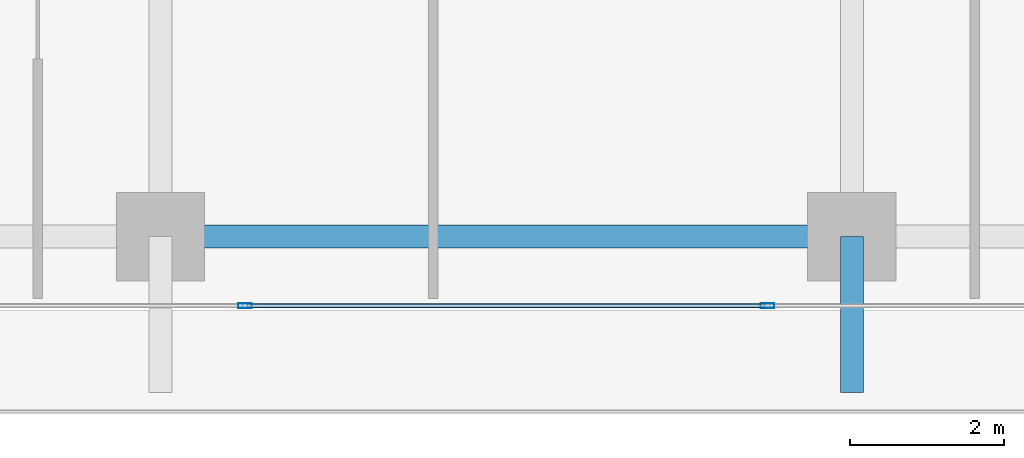
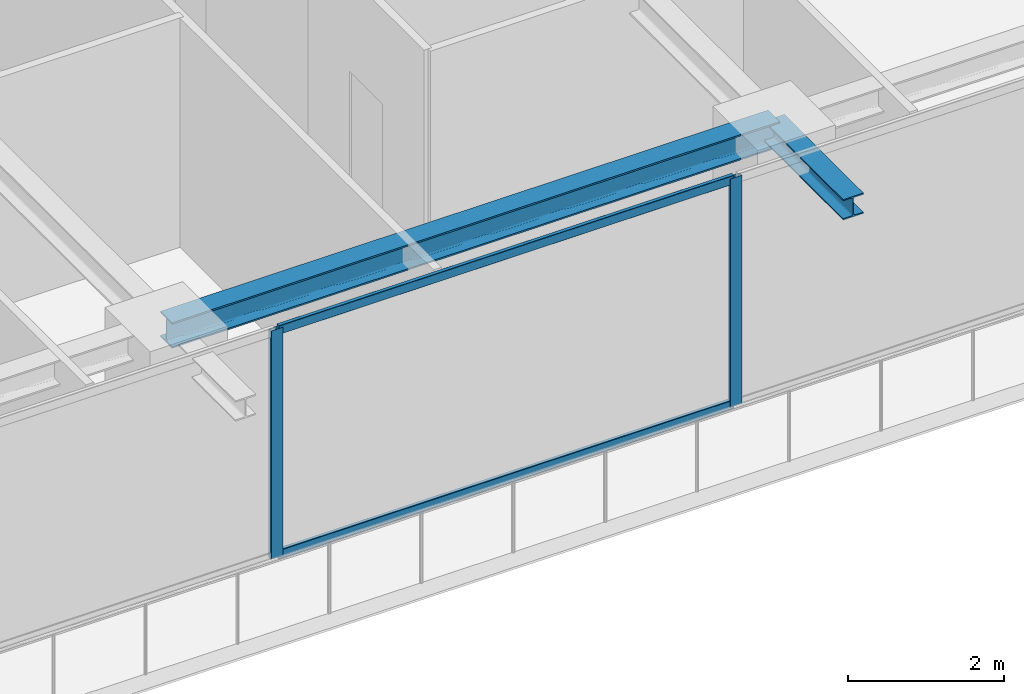
# One storey, part 5 of 37: 4 members, 2 beams, 1 element without a shape of its own.
"""IFC4 building model written with IfcOpenShell, lengths in metres."""

from ifc_helpers import new_model, si_unit, direction, frame, origin, origin_2d, place, context, subcontext, project, spatial, hollow_rectangle, i_section, extrude, source, transform, mapped, material, layer, layer_set, material_profile, profile_set, type_object, element, aggregate, save


model = new_model("IFC4")

# Units and contexts
model_context = context("Model", 3, precision=1e-05, world=origin(), true_north=direction((0.0, 1.0)))
body_context = subcontext(model_context, "Body", "Model", "MODEL_VIEW")
ifc_project = project(units=[si_unit("LENGTHUNIT", "METRE"), si_unit("AREAUNIT", "SQUARE_METRE"), si_unit("VOLUMEUNIT", "CUBIC_METRE"), si_unit("PLANEANGLEUNIT", "RADIAN"), si_unit("MASSUNIT", "GRAM", prefix="KILO")], contexts=[model_context])

# Site, building, storey
site_placement = place(None, origin())
site = spatial("IfcSite", under=ifc_project, at=site_placement, CompositionType="ELEMENT")
building_placement = place(site_placement, origin())
building = spatial("IfcBuilding", under=site, at=building_placement, Name="Serunith Strait Residences", CompositionType="ELEMENT")
storey_placement = place(building_placement, frame((0.0, 0.0, 248.949951171875)))
storey = spatial("IfcBuildingStorey", under=building, at=storey_placement, Name="L62", CompositionType="ELEMENT", Elevation=248.949951171875)

# Beams
ifc_material_1 = material(Name="Steel S355J2", Category="steel")
ifc_material_profile_1 = material_profile(ifc_material_1, i_section(OverallWidth=0.300048828125, OverallDepth=0.39990234375, WebThickness=0.013427734375, FlangeThickness=0.02392578125, FilletRadius=0.027099609375, at=origin_2d()), Name="HEB 400")
ifc_profile_set_1 = profile_set([ifc_material_profile_1], Name="Steel S355J2")
beam_type_1 = type_object("IfcBeamType", Name="BM-HEB400", PredefinedType="BEAM", material=ifc_profile_set_1)
shared_shape_1 = source(origin(), body_context, "Body", "SweptSolid", [
    extrude(i_section(OverallWidth=0.300048828125, OverallDepth=0.39990234375, WebThickness=0.013427734375, FlangeThickness=0.02392578125, FilletRadius=0.027099609375, at=origin_2d()), origin(), (0.0, 0.0, 1.0), 9.0),
])
beam_1_placement = place(storey_placement, frame((27.89990234375, 2.10009765625, 3.386962890625), z_axis=(1.0, 0.0, 0.0), x_axis=(0.0, 1.0, 0.0)))
element("IfcBeam", 1, at=beam_1_placement, inside=storey, type_object=beam_type_1, Name="L62 Perimeter Ring Beam 02", PredefinedType="BEAM", context=body_context, shape_type="MappedRepresentation", body=[
    mapped(shared_shape_1, transform((0.0, 0.0, 0.0), scale=1.0)),
])
ifc_material_profile_2 = material_profile(ifc_material_1, i_section(OverallWidth=0.300048828125, OverallDepth=0.320068359375, WebThickness=0.011474609375, FlangeThickness=0.0205078125, FilletRadius=0.027099609375, at=origin_2d()), Name="HEB 320")
ifc_profile_set_2 = profile_set([ifc_material_profile_2], Name="Steel S355J2")
beam_type_2 = type_object("IfcBeamType", Name="BM-HEB320", PredefinedType="BEAM", material=ifc_profile_set_2)
shared_shape_2 = source(origin(), body_context, "Body", "SweptSolid", [
    extrude(i_section(OverallWidth=0.300048828125, OverallDepth=0.320068359375, WebThickness=0.011474609375, FlangeThickness=0.0205078125, FilletRadius=0.027099609375, at=origin_2d()), origin(), (0.0, 0.0, 1.0), 2.030029296875),
])
beam_2_placement = place(storey_placement, frame((36.89990234375, 2.10009765625, 3.39697265625), z_axis=(0.0, -1.0, 0.0), x_axis=(1.0, 0.0, 0.0)))
element("IfcBeam", 2, at=beam_2_placement, inside=storey, type_object=beam_type_2, Name="L63 Cantilevered Balcony Rib TC-S3", PredefinedType="BEAM", context=body_context, shape_type="MappedRepresentation", body=[
    mapped(shared_shape_2, transform((0.0, 0.0, 0.0), scale=1.0)),
])

# Curtain wall, members
ifc_material_2 = material(Name="Pale-Champagne Anodised Aluminium", Category="aluminium")
ifc_layer = layer(ifc_material_2, 0.199951171875, Name="Pale-Champagne Anodised Aluminium")
ifc_layer_set = layer_set([ifc_layer], Name="Pale-Champagne Anodised Aluminium")
curtain_wall_type = type_object("IfcCurtainWallType", Name="CW-SYS4", PredefinedType="NOTDEFINED", material=ifc_layer_set)
curtain_wall_placement = place(storey_placement, origin())
curtain_wall = element("IfcCurtainWall", 3, at=curtain_wall_placement, inside=storey, type_object=curtain_wall_type, Name="L62 S Unitised Fritted Curtain Wall", PredefinedType="NOTDEFINED")
ifc_material_profile_3 = material_profile(ifc_material_2, hollow_rectangle(XDim=0.06494140625, YDim=0.179931640625, WallThickness=0.00341796875, InnerFilletRadius=0.00537109375, OuterFilletRadius=0.0087890625, at=origin_2d()), Name="ALU 180x65x3.5")
ifc_profile_set_3 = profile_set([ifc_material_profile_3], Name="Pale-Champagne Anodised Aluminium")
member_type_1 = type_object("IfcMemberType", Name="CW-SYS4-MULL", PredefinedType="MULLION", material=ifc_profile_set_3)
shared_shape_3 = source(origin(), body_context, "Body", "SweptSolid", [
    extrude(hollow_rectangle(XDim=0.06494140625, YDim=0.179931640625, WallThickness=0.00341796875, InnerFilletRadius=0.00537109375, OuterFilletRadius=0.0087890625, at=origin_2d()), origin(), (0.0, 0.0, 1.0), 3.574951171875),
])
member_1_placement = place(storey_placement, frame((29.0, 1.199951171875, 0.0), z_axis=(0.0, 0.0, 1.0), x_axis=(0.0, 1.0, 0.0)))
member_1 = element("IfcMember", 4, at=member_1_placement, type_object=member_type_1, Name="CW-4 mullion 3", PredefinedType="MULLION", context=body_context, shape_type="MappedRepresentation", body=[
    mapped(shared_shape_3, transform((0.0, 0.0, 0.0), scale=1.0)),
])
member_2_placement = place(storey_placement, frame((35.800048828125, 1.199951171875, 0.0), z_axis=(0.0, 0.0, 1.0), x_axis=(0.0, 1.0, 0.0)))
member_2 = element("IfcMember", 5, at=member_2_placement, type_object=member_type_1, Name="CW-4 mullion 4", PredefinedType="MULLION", context=body_context, shape_type="MappedRepresentation", body=[
    mapped(shared_shape_3, transform((0.0, 0.0, 0.0), scale=1.0)),
])
ifc_material_profile_4 = material_profile(ifc_material_2, hollow_rectangle(XDim=0.06005859375, YDim=0.139892578125, WallThickness=0.00341796875, InnerFilletRadius=0.00537109375, OuterFilletRadius=0.0087890625, at=origin_2d()), Name="ALU 140x60x3.5")
ifc_profile_set_4 = profile_set([ifc_material_profile_4], Name="Pale-Champagne Anodised Aluminium")
member_type_2 = type_object("IfcMemberType", Name="CW-SYS4-TRAN", PredefinedType="USERDEFINED", material=ifc_profile_set_4)
shared_shape_4 = source(origin(), body_context, "Body", "SweptSolid", [
    extrude(hollow_rectangle(XDim=0.06005859375, YDim=0.139892578125, WallThickness=0.00341796875, InnerFilletRadius=0.00537109375, OuterFilletRadius=0.0087890625, at=origin_2d()), origin(), (0.0, 0.0, 1.0), 6.735107421875),
])
member_3_placement = place(storey_placement, frame((29.032470703125, 1.199951171875, 0.030029296875), z_axis=(1.0, 0.0, 0.0), x_axis=(0.0, 1.0, 0.0)))
member_3 = element("IfcMember", 6, at=member_3_placement, type_object=member_type_2, Name="CW-4 transom 3.1", ObjectType="TRANSOM", PredefinedType="USERDEFINED", context=body_context, shape_type="MappedRepresentation", body=[
    mapped(shared_shape_4, transform((0.0, 0.0, 0.0), scale=1.0)),
])
member_4_placement = place(storey_placement, frame((29.032470703125, 1.199951171875, 3.545166015625), z_axis=(1.0, 0.0, 0.0), x_axis=(0.0, 1.0, 0.0)))
member_4 = element("IfcMember", 7, at=member_4_placement, type_object=member_type_2, Name="CW-4 transom 3.2", ObjectType="TRANSOM", PredefinedType="USERDEFINED", context=body_context, shape_type="MappedRepresentation", body=[
    mapped(shared_shape_4, transform((0.0, 0.0, 0.0), scale=1.0)),
])
aggregate(curtain_wall, [member_1, member_2, member_3, member_4])

save(model, "model.ifc")
